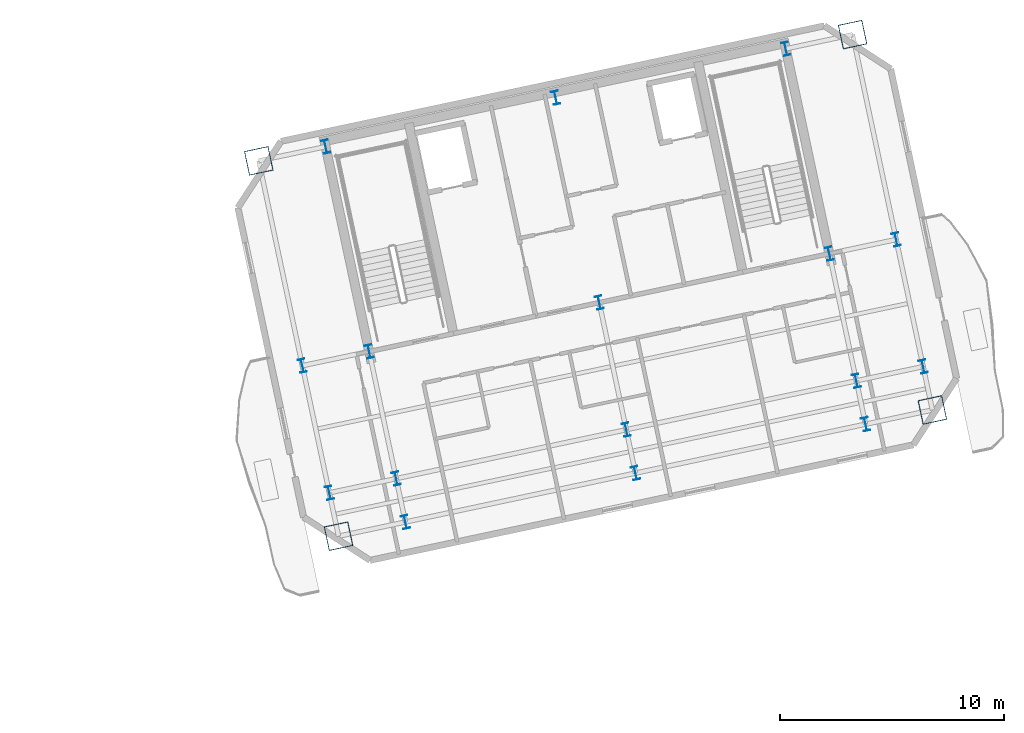
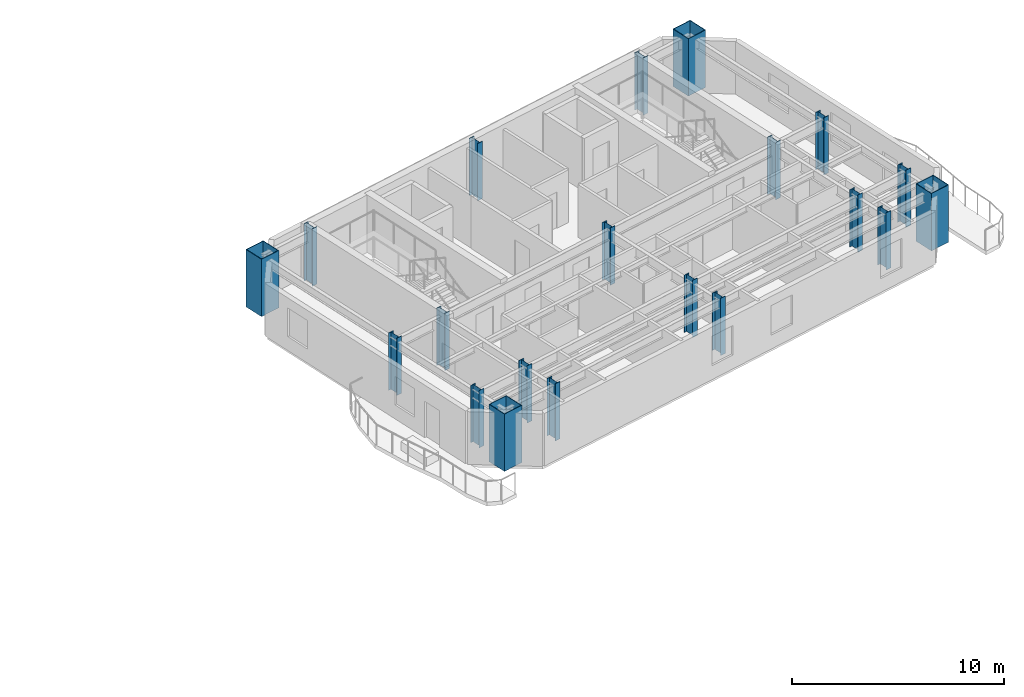
# One storey, part 2 of 14: 20 columns.
"""IFC4 building model written with IfcOpenShell, lengths in metres."""

from ifc_helpers import new_model, si_unit, direction, frame, origin, origin_2d, place, context, subcontext, project, spatial, hollow_rectangle, i_section, extrude, material, material_profile, profile_set, type_object, element, save


model = new_model("IFC4")

# Units and contexts
model_context = context("Model", 3, precision=1e-05, world=origin(), true_north=direction((0.0, 1.0)))
body_context = subcontext(model_context, "Body", "Model", "MODEL_VIEW")
ifc_project = project(units=[si_unit("LENGTHUNIT", "METRE"), si_unit("AREAUNIT", "SQUARE_METRE"), si_unit("VOLUMEUNIT", "CUBIC_METRE"), si_unit("PLANEANGLEUNIT", "RADIAN"), si_unit("MASSUNIT", "GRAM", prefix="KILO")], contexts=[model_context])

# Site, building, storey
site_placement = place(None, origin())
site = spatial("IfcSite", under=ifc_project, at=site_placement, CompositionType="ELEMENT")
building_placement = place(site_placement, origin())
building = spatial("IfcBuilding", under=site, at=building_placement, Name="Haevon Station Towers", CompositionType="ELEMENT")
storey_placement = place(building_placement, frame((0.0, 0.0, 212.10009765625)))
storey = spatial("IfcBuildingStorey", under=building, at=storey_placement, Name="L58", CompositionType="ELEMENT", Elevation=212.10009765625)

# Columns
ifc_material_1 = material(Name="Steel S460", Category="steel")
ifc_material_profile_1 = material_profile(ifc_material_1, hollow_rectangle(XDim=1.10009765625, YDim=1.10009765625, WallThickness=0.031982421875, at=origin_2d()), Name="BOX-1100x1100x32")
ifc_profile_set_1 = profile_set([ifc_material_profile_1], Name="Steel S460")
column_type_1 = type_object("IfcColumnType", Name="COL-MC5", PredefinedType="COLUMN", material=ifc_profile_set_1)
for number, where, z_axis, x_axis, name in (
    (1, (97.386474609375, 29.1982421875, 0.0), (0.0, 0.0, 1.0), (0.978147600734, 0.207911690818, 0.0), "COL-T2-L58-01-01"),
    (2, (93.824951171875, 45.953857421875, 0.0), (0.0, 0.0, 1.0), (0.978147600734, 0.207911690818, 0.0), "COL-T2-L58-01-04"),
    (3, (123.894287109375, 34.832763671875, 0.0), (0.0, 0.0, 1.0), (0.978147600734, 0.207911690818, 0.0), "COL-T2-L58-05-01"),
    (4, (120.332763671875, 51.58837890625, 0.0), (0.0, 0.0, 1.0), (0.978147600734, 0.207911690818, 0.0), "COL-T2-L58-05-04"),
):
    element("IfcColumn", number, at=place(storey_placement, frame(where, z_axis=z_axis, x_axis=x_axis)), inside=storey, type_object=column_type_1, Name=name, PredefinedType="COLUMN", context=body_context, shape_type="SweptSolid", body=[
        extrude(hollow_rectangle(XDim=1.10009765625, YDim=1.10009765625, WallThickness=0.031982421875, at=origin_2d()), origin(), (0.0, 0.0, 1.0), 3.2998046875),
    ])
ifc_material_2 = material(Name="Steel S355", Category="steel")
ifc_material_profile_2 = material_profile(ifc_material_2, i_section(OverallWidth=0.300048828125, OverallDepth=0.60009765625, WebThickness=0.013916015625, FlangeThickness=0.02490234375, at=origin_2d()), Name="H-600x300x14x25")
ifc_profile_set_2 = profile_set([ifc_material_profile_2], Name="Steel S355")
column_type_2 = type_object("IfcColumnType", Name="COL-TW4", PredefinedType="COLUMN", material=ifc_profile_set_2)
for number, where, z_axis, x_axis, name in (
    (5, (96.974853515625, 31.135009765625, 0.0), (0.0, 0.0, 1.0), (0.978147600734, 0.207911690818, 0.0), "COL-T2-L58-01-02"),
    (6, (95.76904296875, 36.808349609375, 0.0), (0.0, 0.0, 1.0), (0.978147600734, 0.207911690818, 0.0), "COL-T2-L58-01-03"),
    (7, (100.369873046875, 29.83251953125, 0.0), (0.0, 0.0, 1.0), (0.978147600734, 0.207911690818, 0.0), "COL-T2-L58-02-01"),
    (8, (99.958251953125, 31.76904296875, 0.0), (0.0, 0.0, 1.0), (0.978147600734, 0.207911690818, 0.0), "COL-T2-L58-02-02"),
    (9, (98.75244140625, 37.4423828125, 0.0), (0.0, 0.0, 1.0), (0.978147600734, 0.207911690818, 0.0), "COL-T2-L58-02-03"),
    (10, (96.808349609375, 46.588134765625, 0.0), (0.0, 0.0, 1.0), (0.978147600734, 0.207911690818, 0.0), "COL-T2-L58-02-04"),
    (11, (110.640380859375, 32.015380859375, 0.0), (0.0, 0.0, 1.0), (0.978147600734, 0.207911690818, 0.0), "COL-T2-L58-03-01"),
    (12, (110.228759765625, 33.9521484375, 0.0), (0.0, 0.0, 1.0), (0.978147600734, 0.207911690818, 0.0), "COL-T2-L58-03-02"),
    (13, (109.02294921875, 39.62548828125, 0.0), (0.0, 0.0, 1.0), (0.978147600734, 0.207911690818, 0.0), "COL-T2-L58-03-03"),
    (14, (107.078857421875, 48.771240234375, 0.0), (0.0, 0.0, 1.0), (0.978147600734, 0.207911690818, 0.0), "COL-T2-L58-03-04"),
    (15, (120.910888671875, 34.198486328125, 0.0), (0.0, 0.0, 1.0), (0.978147600734, 0.207911690818, 0.0), "COL-T2-L58-04-01"),
    (16, (120.499267578125, 36.13525390625, 0.0), (0.0, 0.0, 1.0), (0.978147600734, 0.207911690818, 0.0), "COL-T2-L58-04-02"),
    (17, (119.29345703125, 41.80859375, 0.0), (0.0, 0.0, 1.0), (0.978147600734, 0.207911690818, 0.0), "COL-T2-L58-04-03"),
    (18, (117.349365234375, 50.954345703125, 0.0), (0.0, 0.0, 1.0), (0.978147600734, 0.207911690818, 0.0), "COL-T2-L58-04-04"),
    (19, (123.482666015625, 36.76953125, 0.0), (0.0, 0.0, 1.0), (0.978147600734, 0.207911690818, 0.0), "COL-T2-L58-05-02"),
    (20, (122.27685546875, 42.442626953125, 0.0), (0.0, 0.0, 1.0), (0.978147600734, 0.207911690818, 0.0), "COL-T2-L58-05-03"),
):
    element("IfcColumn", number, at=place(storey_placement, frame(where, z_axis=z_axis, x_axis=x_axis)), inside=storey, type_object=column_type_2, Name=name, PredefinedType="COLUMN", context=body_context, shape_type="SweptSolid", body=[
        extrude(i_section(OverallWidth=0.300048828125, OverallDepth=0.60009765625, WebThickness=0.013916015625, FlangeThickness=0.02490234375, at=origin_2d()), origin(), (0.0, 0.0, 1.0), 3.2998046875),
    ])

save(model, "model.ifc")
